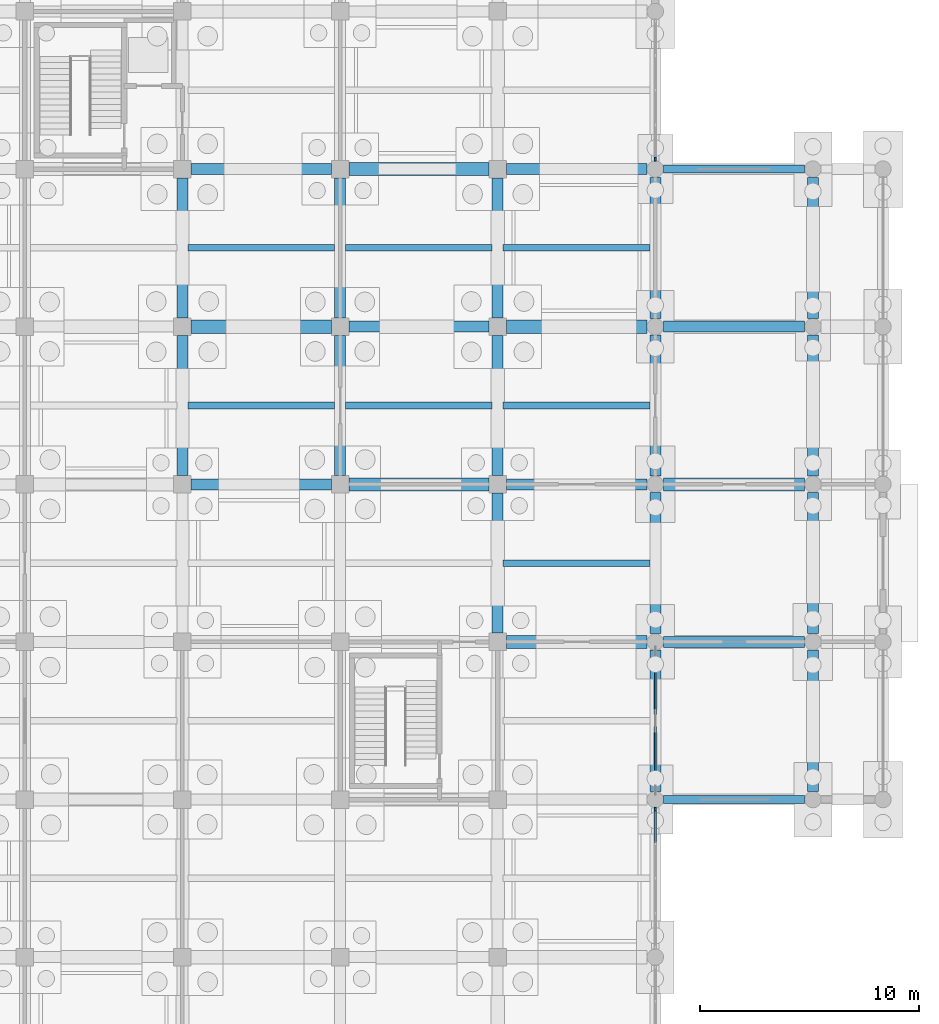
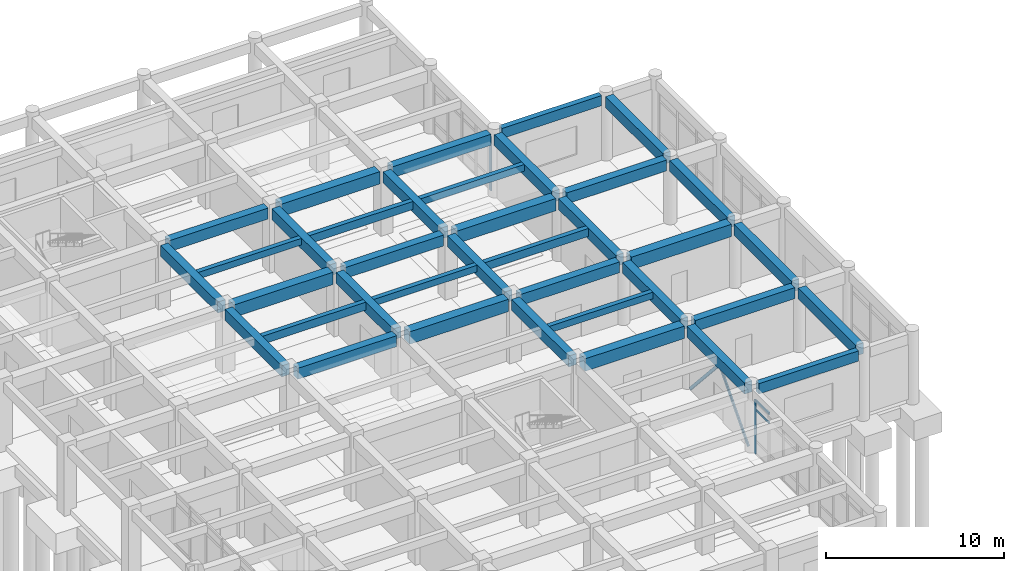
# One storey, part 38 of 79: 37 beams, 6 members, 2 elements without a shape of their own.
"""IFC4 building model written with IfcOpenShell, lengths in metres."""

from ifc_helpers import new_model, si_unit, direction, frame, origin, origin_2d, place, context, subcontext, project, spatial, rectangle, hollow_rectangle, extrude, material, layer, layer_set, material_profile, profile_set, type_object, element, aggregate, save


model = new_model("IFC4")

# Units and contexts
model_context = context("Model", 3, precision=1e-05, world=origin(), true_north=direction((0.0, 1.0)))
body_context = subcontext(model_context, "Body", "Model", "MODEL_VIEW")
ifc_project = project(units=[si_unit("LENGTHUNIT", "METRE"), si_unit("AREAUNIT", "SQUARE_METRE"), si_unit("VOLUMEUNIT", "CUBIC_METRE"), si_unit("PLANEANGLEUNIT", "RADIAN"), si_unit("MASSUNIT", "GRAM", prefix="KILO")], contexts=[model_context])

# Site, building, storey
site_placement = place(None, origin())
site = spatial("IfcSite", under=ifc_project, at=site_placement, CompositionType="ELEMENT")
building_placement = place(site_placement, origin())
building = spatial("IfcBuilding", under=site, at=building_placement, Name="Kavelor Marine Aquarium", CompositionType="ELEMENT")
storey_placement = place(building_placement, origin())
storey = spatial("IfcBuildingStorey", under=building, at=storey_placement, Name="L00", CompositionType="ELEMENT", Elevation=0.0)

# Beams
ifc_material_1 = material(Name="Concrete C40/50", Category="concrete")
ifc_material_profile_1 = material_profile(ifc_material_1, rectangle(XDim=0.60009765625, YDim=0.85009765625, at=origin_2d()), Name="RC-BM 600x850")
ifc_profile_set_1 = profile_set([ifc_material_profile_1], Name="Concrete C40/50")
beam_type_1 = type_object("IfcBeamType", Name="BM-B1", PredefinedType="BEAM", material=ifc_profile_set_1)
for number, where, z_axis, x_axis, name in (
    (1, (133.199951171875, 89.199951171875, 3.955078125), (1.0, 0.0, 0.0), (0.0, 1.0, 0.0), "bm:x:L00:L01:18_12"),
    (2, (140.39990234375, 82.0, 3.955078125), (1.0, 0.0, 0.0), (0.0, 1.0, 0.0), "bm:x:L00:L01:19_11"),
    (3, (140.39990234375, 96.39990234375, 3.955078125), (1.0, 0.0, 0.0), (0.0, 1.0, 0.0), "bm:x:L00:L01:19_13"),
):
    element("IfcBeam", number, at=place(storey_placement, frame(where, z_axis=z_axis, x_axis=x_axis)), inside=storey, type_object=beam_type_1, Name=name, PredefinedType="BEAM", context=body_context, shape_type="SweptSolid", body=[
        extrude(rectangle(XDim=0.60009765625, YDim=0.85009765625, at=origin_2d()), origin(), (0.0, 0.0, 1.0), 6.400146484375),
    ])
for number, where, z_axis, x_axis, name in (
    (4, (147.60009765625, 74.800048828125, 3.955078125), (1.0, 0.0, 0.0), (0.0, 1.0, 0.0), "bm:x:L00:L01:20_10"),
    (5, (147.60009765625, 89.199951171875, 3.955078125), (1.0, 0.0, 0.0), (0.0, 1.0, 0.0), "bm:x:L00:L01:20_12"),
):
    element("IfcBeam", number, at=place(storey_placement, frame(where, z_axis=z_axis, x_axis=x_axis)), inside=storey, type_object=beam_type_1, Name=name, PredefinedType="BEAM", context=body_context, shape_type="SweptSolid", body=[
        extrude(rectangle(XDim=0.60009765625, YDim=0.85009765625, at=origin_2d()), origin(), (0.0, 0.0, 1.0), 6.4248046875),
    ])
beam_1_placement = place(storey_placement, frame((154.77490234375, 82.0, 4.034912109375), z_axis=(1.0, 0.0, 0.0), x_axis=(0.0, 1.0, 0.0)))
element("IfcBeam", 6, at=beam_1_placement, inside=storey, type_object=beam_type_1, Name="bm:x:L00:L01:21_11", PredefinedType="BEAM", context=body_context, shape_type="SweptSolid", body=[
    extrude(rectangle(XDim=0.60009765625, YDim=0.85009765625, at=origin_2d()), origin(), (0.0, 0.0, 1.0), 6.4501953125),
])
ifc_material_2 = material(Name="Concrete C40/50", Category="concrete")
ifc_material_profile_2 = material_profile(ifc_material_2, rectangle(XDim=0.5, YDim=0.75, at=origin_2d()), Name="RC-BM 500x750")
ifc_profile_set_2 = profile_set([ifc_material_profile_2], Name="Concrete C40/50")
beam_type_2 = type_object("IfcBeamType", Name="BM-B2", PredefinedType="BEAM", material=ifc_profile_set_2)
for number, where, z_axis, x_axis, name in (
    (7, (133.199951171875, 82.0, 4.0048828125), (1.0, 0.0, 0.0), (0.0, 1.0, 0.0), "bm:x:L00:L01:18_11"),
    (8, (133.199951171875, 96.39990234375, 4.0048828125), (1.0, 0.0, 0.0), (0.0, 1.0, 0.0), "bm:x:L00:L01:18_13"),
    (9, (140.39990234375, 89.199951171875, 4.0048828125), (1.0, 0.0, 0.0), (0.0, 1.0, 0.0), "bm:x:L00:L01:19_12"),
):
    element("IfcBeam", number, at=place(storey_placement, frame(where, z_axis=z_axis, x_axis=x_axis)), inside=storey, type_object=beam_type_2, Name=name, PredefinedType="BEAM", context=body_context, shape_type="SweptSolid", body=[
        extrude(rectangle(XDim=0.5, YDim=0.75, at=origin_2d()), origin(), (0.0, 0.0, 1.0), 6.400146484375),
    ])
for number, where, z_axis, x_axis, name in (
    (10, (147.60009765625, 82.0, 4.0048828125), (1.0, 0.0, 0.0), (0.0, 1.0, 0.0), "bm:x:L00:L01:20_11"),
    (11, (147.60009765625, 96.39990234375, 4.0048828125), (1.0, 0.0, 0.0), (0.0, 1.0, 0.0), "bm:x:L00:L01:20_13"),
):
    element("IfcBeam", number, at=place(storey_placement, frame(where, z_axis=z_axis, x_axis=x_axis)), inside=storey, type_object=beam_type_2, Name=name, PredefinedType="BEAM", context=body_context, shape_type="SweptSolid", body=[
        extrude(rectangle(XDim=0.5, YDim=0.75, at=origin_2d()), origin(), (0.0, 0.0, 1.0), 6.4248046875),
    ])
for number, where, z_axis, x_axis, name in (
    (12, (154.77490234375, 74.800048828125, 4.0849609375), (1.0, 0.0, 0.0), (0.0, 1.0, 0.0), "bm:x:L00:L01:21_10"),
    (13, (154.77490234375, 89.199951171875, 4.0849609375), (1.0, 0.0, 0.0), (0.0, 1.0, 0.0), "bm:x:L00:L01:21_12"),
):
    element("IfcBeam", number, at=place(storey_placement, frame(where, z_axis=z_axis, x_axis=x_axis)), inside=storey, type_object=beam_type_2, Name=name, PredefinedType="BEAM", context=body_context, shape_type="SweptSolid", body=[
        extrude(rectangle(XDim=0.5, YDim=0.75, at=origin_2d()), origin(), (0.0, 0.0, 1.0), 6.4501953125),
    ])
beam_2_placement = place(storey_placement, frame((132.800048828125, 82.39990234375, 4.0048828125), z_axis=(0.0, 1.0, 0.0), x_axis=(-1.0, 0.0, 0.0)))
element("IfcBeam", 14, at=beam_2_placement, inside=storey, type_object=beam_type_2, Name="bm:y:L00:L01:18_11", PredefinedType="BEAM", context=body_context, shape_type="SweptSolid", body=[
    extrude(rectangle(XDim=0.5, YDim=0.75, at=origin_2d()), origin(), (0.0, 0.0, 1.0), 6.400146484375),
])
beam_3_placement = place(storey_placement, frame((132.800048828125, 89.60009765625, 4.0048828125), z_axis=(0.0, 1.0, 0.0), x_axis=(-1.0, 0.0, 0.0)))
element("IfcBeam", 15, at=beam_3_placement, inside=storey, type_object=beam_type_2, Name="bm:y:L00:L01:18_12", PredefinedType="BEAM", context=body_context, shape_type="SweptSolid", body=[
    extrude(rectangle(XDim=0.5, YDim=0.75, at=origin_2d()), origin(), (0.0, 0.0, 1.0), 6.39990234375),
])
beam_4_placement = place(storey_placement, frame((140.0, 82.39990234375, 4.0048828125), z_axis=(0.0, 1.0, 0.0), x_axis=(-1.0, 0.0, 0.0)))
element("IfcBeam", 16, at=beam_4_placement, inside=storey, type_object=beam_type_2, Name="bm:y:L00:L01:19_11", PredefinedType="BEAM", context=body_context, shape_type="SweptSolid", body=[
    extrude(rectangle(XDim=0.5, YDim=0.75, at=origin_2d()), origin(), (0.0, 0.0, 1.0), 6.400146484375),
])
beam_5_placement = place(storey_placement, frame((140.0, 89.60009765625, 4.0048828125), z_axis=(0.0, 1.0, 0.0), x_axis=(-1.0, 0.0, 0.0)))
element("IfcBeam", 17, at=beam_5_placement, inside=storey, type_object=beam_type_2, Name="bm:y:L00:L01:19_12", PredefinedType="BEAM", context=body_context, shape_type="SweptSolid", body=[
    extrude(rectangle(XDim=0.5, YDim=0.75, at=origin_2d()), origin(), (0.0, 0.0, 1.0), 6.39990234375),
])
for number, where, z_axis, x_axis, name in (
    (18, (147.199951171875, 75.199951171875, 4.0048828125), (0.0, 1.0, 0.0), (-1.0, 0.0, 0.0), "bm:y:L00:L01:20_10"),
    (19, (147.199951171875, 82.39990234375, 4.0048828125), (0.0, 1.0, 0.0), (-1.0, 0.0, 0.0), "bm:y:L00:L01:20_11"),
):
    element("IfcBeam", number, at=place(storey_placement, frame(where, z_axis=z_axis, x_axis=x_axis)), inside=storey, type_object=beam_type_2, Name=name, PredefinedType="BEAM", context=body_context, shape_type="SweptSolid", body=[
        extrude(rectangle(XDim=0.5, YDim=0.75, at=origin_2d()), origin(), (0.0, 0.0, 1.0), 6.400146484375),
    ])
beam_6_placement = place(storey_placement, frame((147.199951171875, 89.60009765625, 4.0048828125), z_axis=(0.0, 1.0, 0.0), x_axis=(-1.0, 0.0, 0.0)))
element("IfcBeam", 20, at=beam_6_placement, inside=storey, type_object=beam_type_2, Name="bm:y:L00:L01:20_12", PredefinedType="BEAM", context=body_context, shape_type="SweptSolid", body=[
    extrude(rectangle(XDim=0.5, YDim=0.75, at=origin_2d()), origin(), (0.0, 0.0, 1.0), 6.39990234375),
])
for number, where, z_axis, x_axis, name in (
    (21, (154.39990234375, 67.97509765625, 4.0048828125), (0.0, 1.0, 0.0), (-1.0, 0.0, 0.0), "bm:y:L00:L01:21_09"),
    (22, (154.39990234375, 75.175048828125, 4.0048828125), (0.0, 1.0, 0.0), (-1.0, 0.0, 0.0), "bm:y:L00:L01:21_10"),
    (23, (154.39990234375, 82.375, 4.0048828125), (0.0, 1.0, 0.0), (-1.0, 0.0, 0.0), "bm:y:L00:L01:21_11"),
    (24, (154.39990234375, 89.574951171875, 4.0048828125), (0.0, 1.0, 0.0), (-1.0, 0.0, 0.0), "bm:y:L00:L01:21_12"),
    (25, (161.60009765625, 67.97509765625, 4.0849609375), (0.0, 1.0, 0.0), (-1.0, 0.0, 0.0), "bm:y:L00:L01:22_09"),
    (26, (161.60009765625, 75.175048828125, 4.0849609375), (0.0, 1.0, 0.0), (-1.0, 0.0, 0.0), "bm:y:L00:L01:22_10"),
    (27, (161.60009765625, 82.375, 4.0849609375), (0.0, 1.0, 0.0), (-1.0, 0.0, 0.0), "bm:y:L00:L01:22_11"),
    (28, (161.60009765625, 89.574951171875, 4.0849609375), (0.0, 1.0, 0.0), (-1.0, 0.0, 0.0), "bm:y:L00:L01:22_12"),
):
    element("IfcBeam", number, at=place(storey_placement, frame(where, z_axis=z_axis, x_axis=x_axis)), inside=storey, type_object=beam_type_2, Name=name, PredefinedType="BEAM", context=body_context, shape_type="SweptSolid", body=[
        extrude(rectangle(XDim=0.5, YDim=0.75, at=origin_2d()), origin(), (0.0, 0.0, 1.0), 6.449951171875),
    ])
ifc_material_3 = material(Name="Concrete C40/50", Category="concrete")
ifc_material_profile_3 = material_profile(ifc_material_3, rectangle(XDim=0.300048828125, YDim=0.449951171875, at=origin_2d()), Name="RC-JS 300x450")
ifc_profile_set_3 = profile_set([ifc_material_profile_3], Name="Concrete C40/50")
beam_type_3 = type_object("IfcBeamType", Name="BM-JS1", PredefinedType="JOIST", material=ifc_profile_set_3)
for number, where, z_axis, x_axis, name in (
    (29, (133.050048828125, 92.800048828125, 4.155029296875), (1.0, 0.0, 0.0), (0.0, 1.0, 0.0), "js:L00:L01:18_12"),
    (30, (140.25, 85.60009765625, 4.155029296875), (1.0, 0.0, 0.0), (0.0, 1.0, 0.0), "js:L00:L01:19_11"),
    (31, (147.449951171875, 78.39990234375, 4.155029296875), (1.0, 0.0, 0.0), (0.0, 1.0, 0.0), "js:L00:L01:20_10"),
    (32, (147.449951171875, 92.800048828125, 4.155029296875), (1.0, 0.0, 0.0), (0.0, 1.0, 0.0), "js:L00:L01:20_12"),
):
    element("IfcBeam", number, at=place(storey_placement, frame(where, z_axis=z_axis, x_axis=x_axis)), inside=storey, type_object=beam_type_3, Name=name, PredefinedType="JOIST", context=body_context, shape_type="SweptSolid", body=[
        extrude(rectangle(XDim=0.300048828125, YDim=0.449951171875, at=origin_2d()), origin(), (0.0, 0.0, 1.0), 6.699951171875),
    ])
ifc_material_4 = material(Name="Concrete C40/50", Category="concrete")
ifc_material_profile_4 = material_profile(ifc_material_4, rectangle(XDim=0.300048828125, YDim=0.550048828125, at=origin_2d()), Name="RC-JS 300x550")
ifc_profile_set_4 = profile_set([ifc_material_profile_4], Name="Concrete C40/50")
beam_type_4 = type_object("IfcBeamType", Name="BM-JS2", PredefinedType="JOIST", material=ifc_profile_set_4)
for number, where, z_axis, x_axis, name in (
    (33, (133.050048828125, 85.60009765625, 4.10498046875), (1.0, 0.0, 0.0), (0.0, 1.0, 0.0), "js:L00:L01:18_11"),
    (34, (140.25, 92.800048828125, 4.10498046875), (1.0, 0.0, 0.0), (0.0, 1.0, 0.0), "js:L00:L01:19_12"),
    (35, (147.449951171875, 85.60009765625, 4.10498046875), (1.0, 0.0, 0.0), (0.0, 1.0, 0.0), "js:L00:L01:20_11"),
):
    element("IfcBeam", number, at=place(storey_placement, frame(where, z_axis=z_axis, x_axis=x_axis)), inside=storey, type_object=beam_type_4, Name=name, PredefinedType="JOIST", context=body_context, shape_type="SweptSolid", body=[
        extrude(rectangle(XDim=0.300048828125, YDim=0.550048828125, at=origin_2d()), origin(), (0.0, 0.0, 1.0), 6.699951171875),
    ])
ifc_material_5 = material(Name="Concrete C40/50", Category="concrete")
ifc_material_profile_5 = material_profile(ifc_material_5, rectangle(XDim=0.35009765625, YDim=0.699951171875, at=origin_2d()), Name="RC-SP 350x700")
ifc_profile_set_5 = profile_set([ifc_material_profile_5], Name="Concrete C40/50")
beam_type_5 = type_object("IfcBeamType", Name="BM-SP1", PredefinedType="SPANDREL", material=ifc_profile_set_5)
for number, where, z_axis, x_axis, name in (
    (36, (154.77490234375, 67.60009765625, 4.110107421875), (1.0, 0.0, 0.0), (0.0, 1.0, 0.0), "bm:x:L00:L01:21_09"),
    (37, (154.77490234375, 96.39990234375, 4.110107421875), (1.0, 0.0, 0.0), (0.0, 1.0, 0.0), "bm:x:L00:L01:21_13"),
):
    element("IfcBeam", number, at=place(storey_placement, frame(where, z_axis=z_axis, x_axis=x_axis)), inside=storey, type_object=beam_type_5, Name=name, PredefinedType="SPANDREL", context=body_context, shape_type="SweptSolid", body=[
        extrude(rectangle(XDim=0.35009765625, YDim=0.699951171875, at=origin_2d()), origin(), (0.0, 0.0, 1.0), 6.4501953125),
    ])

# Curtain wall, member
ifc_material_6 = material(Name="Thermally Broken Aluminium and Low-E Glass", Category="aluminium")
ifc_layer_1 = layer(ifc_material_6, 0.251953125)
ifc_layer_set_1 = layer_set([ifc_layer_1], Name="CW-SYS14")
curtain_wall_type_1 = type_object("IfcCurtainWallType", Name="CW-SYS14", PredefinedType="USERDEFINED", material=ifc_layer_set_1)
curtain_wall_1_placement = place(storey_placement, origin())
curtain_wall_1 = element("IfcCurtainWall", 38, at=curtain_wall_1_placement, inside=storey, type_object=curtain_wall_type_1, Name="cw:y:L00:21_08", ObjectType="Curtain Wall", PredefinedType="USERDEFINED")
ifc_material_7 = material(Name="Anodised Aluminium Alloy 6063-T6", Category="aluminium")
ifc_material_profile_6 = material_profile(ifc_material_7, rectangle(XDim=0.080078125, YDim=0.18505859375, at=origin_2d()), Name="CW-MUL 80x185")
ifc_profile_set_6 = profile_set([ifc_material_profile_6], Name="Anodised Aluminium Alloy 6063-T6")
member_type_1 = type_object("IfcMemberType", Name="CWM-2", PredefinedType="MULLION", material=ifc_profile_set_6)
member_1_placement = place(storey_placement, frame((154.39990234375, 67.1474609375, 0.0), z_axis=(0.0, 0.0, 1.0), x_axis=(-1.0, 0.0, 0.0)))
member_1 = element("IfcMember", 39, at=member_1_placement, type_object=member_type_1, Name="CW14 mullion 5", PredefinedType="MULLION", context=body_context, shape_type="SweptSolid", body=[
    extrude(rectangle(XDim=0.080078125, YDim=0.18505859375, at=origin_2d()), origin(), (0.0, 0.0, 1.0), 3.669921875),
])

ifc_material_8 = material(Name="Thermally Broken Aluminium and Low-E Glass", Category="aluminium")
ifc_layer_2 = layer(ifc_material_8, 0.260009765625)
ifc_layer_set_2 = layer_set([ifc_layer_2], Name="CW-SYS15")
curtain_wall_type_2 = type_object("IfcCurtainWallType", Name="CW-SYS15", PredefinedType="USERDEFINED", material=ifc_layer_set_2)
curtain_wall_2_placement = place(storey_placement, origin())
curtain_wall_2 = element("IfcCurtainWall", 40, at=curtain_wall_2_placement, inside=storey, type_object=curtain_wall_type_2, Name="cw:y:L00:21_13", ObjectType="Curtain Wall", PredefinedType="USERDEFINED")
ifc_material_9 = material(Name="Anodised Aluminium Alloy 6063-T6", Category="aluminium")
ifc_material_profile_7 = material_profile(ifc_material_9, rectangle(XDim=0.0849609375, YDim=0.18994140625, at=origin_2d()), Name="CW-MUL 85x190")
ifc_profile_set_7 = profile_set([ifc_material_profile_7], Name="Anodised Aluminium Alloy 6063-T6")
member_type_2 = type_object("IfcMemberType", Name="CWM-3", PredefinedType="MULLION", material=ifc_profile_set_7)
member_2_placement = place(storey_placement, frame((154.39990234375, 96.85009765625, 0.0), z_axis=(0.0, 0.0, 1.0), x_axis=(-1.0, 0.0, 0.0)))
member_2 = element("IfcMember", 41, at=member_2_placement, type_object=member_type_2, Name="CW15 mullion 1", PredefinedType="MULLION", context=body_context, shape_type="SweptSolid", body=[
    extrude(rectangle(XDim=0.0849609375, YDim=0.18994140625, at=origin_2d()), origin(), (0.0, 0.0, 1.0), 3.669921875),
])
aggregate(curtain_wall_2, [member_2])

# Member
ifc_material_10 = material(Name="Anodised Aluminium Alloy 6063-T6", Category="aluminium")
ifc_material_profile_8 = material_profile(ifc_material_10, rectangle(XDim=0.080078125, YDim=0.155029296875, at=origin_2d()), Name="CW-TRN 80x155")
ifc_profile_set_8 = profile_set([ifc_material_profile_8], Name="Anodised Aluminium Alloy 6063-T6")
member_type_3 = type_object("IfcMemberType", Name="CWT-2", PredefinedType="USERDEFINED", material=ifc_profile_set_8)
member_3_placement = place(storey_placement, frame((154.39990234375, 65.62255859375, 3.02001953125), z_axis=(0.0, 1.0, 0.0), x_axis=(-1.0, 0.0, 0.0)))
member_3 = element("IfcMember", 42, at=member_3_placement, type_object=member_type_3, Name="CW14 transom 4.3", ObjectType="TRANSOM", PredefinedType="USERDEFINED", context=body_context, shape_type="SweptSolid", body=[
    extrude(rectangle(XDim=0.080078125, YDim=0.155029296875, at=origin_2d()), origin(), (0.0, 0.0, 1.0), 1.492431640625),
])

member_4_placement = place(storey_placement, frame((154.39990234375, 65.62255859375, 3.637451171875), z_axis=(0.0, 1.0, 0.0), x_axis=(-1.0, 0.0, 0.0)))
member_4 = element("IfcMember", 43, at=member_4_placement, type_object=member_type_3, Name="CW14 transom 4.4", ObjectType="TRANSOM", PredefinedType="USERDEFINED", context=body_context, shape_type="SweptSolid", body=[
    extrude(rectangle(XDim=0.080078125, YDim=0.155029296875, at=origin_2d()), origin(), (0.0, 0.0, 1.0), 1.492431640625),
])

aggregate(curtain_wall_1, [member_1, member_3, member_4])

# Members
ifc_material_11 = material(Name="Steel S355", Category="steel")
ifc_material_profile_9 = material_profile(ifc_material_11, hollow_rectangle(XDim=0.10009765625, YDim=0.199951171875, WallThickness=0.00634765625, InnerFilletRadius=0.009521484375, OuterFilletRadius=0.015869140625, at=origin_2d()), Name="RHS 200x100x6.3")
ifc_profile_set_9 = profile_set([ifc_material_profile_9], Name="Steel S355")
member_type_4 = type_object("IfcMemberType", Name="ST-BR8", PredefinedType="BRACE", material=ifc_profile_set_9)
for number, where, z_axis, x_axis, name in (
    (44, (154.39990234375, 67.949951171875, 0.0), (0.0, 0.667046752396, 0.745015858971), (-1.0, 0.0, 0.0), "sbr:a:3"),
    (45, (154.39990234375, 74.449951171875, 0.0), (0.0, -0.667046752396, 0.745015858971), (1.0, 0.0, 0.0), "sbr:b:3"),
):
    element("IfcMember", number, at=place(storey_placement, frame(where, z_axis=z_axis, x_axis=x_axis)), inside=storey, type_object=member_type_4, Name=name, PredefinedType="BRACE", context=body_context, shape_type="SweptSolid", body=[
        extrude(hollow_rectangle(XDim=0.10009765625, YDim=0.199951171875, WallThickness=0.00634765625, InnerFilletRadius=0.009521484375, OuterFilletRadius=0.015869140625, at=origin_2d()), origin(), (0.0, 0.0, 1.0), 4.872314453125),
    ])

save(model, "model.ifc")
